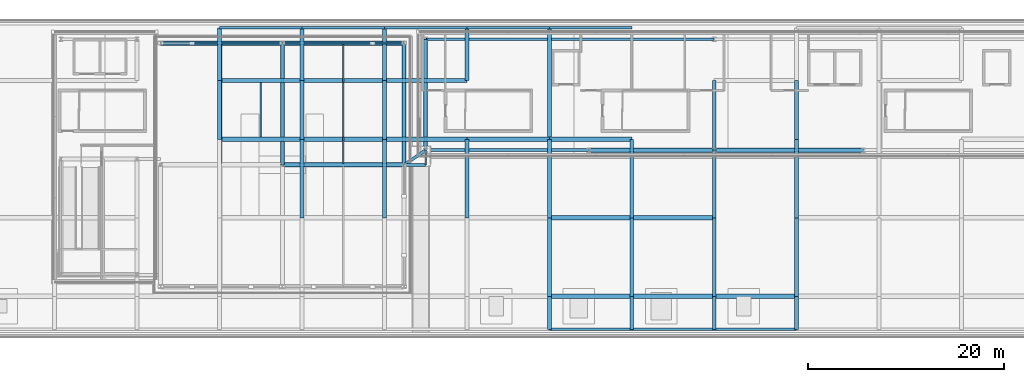
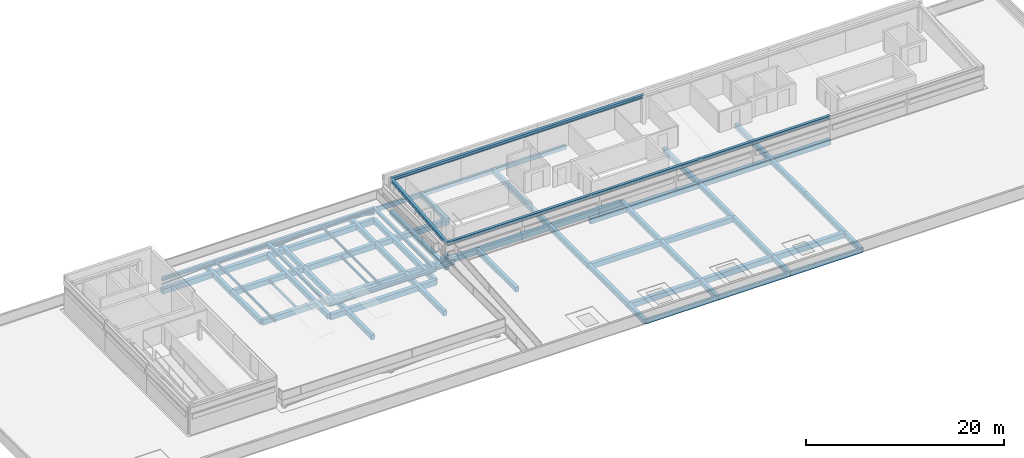
# One storey, part 4 of 14: 71 beams, 3 members.
"""IFC4 building model written with IfcOpenShell, lengths in metres."""

from ifc_helpers import new_model, si_unit, direction, frame, origin, origin_2d, place, context, subcontext, project, spatial, rectangle, hollow_rectangle, hollow_circle, i_section, extrude, material, material_profile, profile_set, type_object, element, save


model = new_model("IFC4")

# Units and contexts
model_context = context("Model", 3, precision=1e-05, world=origin(), true_north=direction((0.0, 1.0)))
body_context = subcontext(model_context, "Body", "Model", "MODEL_VIEW")
ifc_project = project(units=[si_unit("LENGTHUNIT", "METRE"), si_unit("AREAUNIT", "SQUARE_METRE"), si_unit("VOLUMEUNIT", "CUBIC_METRE"), si_unit("PLANEANGLEUNIT", "RADIAN"), si_unit("MASSUNIT", "GRAM", prefix="KILO")], contexts=[model_context])

# Site, building, storey
site_placement = place(None, origin())
site = spatial("IfcSite", under=ifc_project, at=site_placement, CompositionType="ELEMENT")
building_placement = place(site_placement, origin())
building = spatial("IfcBuilding", under=site, at=building_placement, Name="Selatvlak General Hospital", CompositionType="ELEMENT")
storey_placement = place(building_placement, frame((0.0, 0.0, 39.449951171875)))
storey = spatial("IfcBuildingStorey", under=building, at=storey_placement, Name="RF", CompositionType="ELEMENT", Elevation=39.449951171875)

# Beams
ifc_material_1 = material(Name="Concrete C40/50", Category="concrete")
ifc_material_profile_1 = material_profile(ifc_material_1, rectangle(XDim=0.449951171875, YDim=0.64990234375, at=origin_2d()), Name="RC-BM 450x650")
ifc_profile_set_1 = profile_set([ifc_material_profile_1], Name="Concrete C40/50")
beam_type_1 = type_object("IfcBeamType", Name="BM-G04", PredefinedType="BEAM", material=ifc_profile_set_1)
beam_1_placement = place(storey_placement, frame((98.39990234375, 92.0, -0.635009765625), z_axis=(1.0, 0.0, 0.0), x_axis=(0.0, 1.0, 0.0)))
element("IfcBeam", 1, at=beam_1_placement, inside=storey, type_object=beam_type_1, Name="Beam BMR-RF-2739", PredefinedType="BEAM", context=body_context, shape_type="SweptSolid", body=[
    extrude(rectangle(XDim=0.449951171875, YDim=0.64990234375, at=origin_2d()), origin(), (0.0, 0.0, 1.0), 8.400146484375),
])
beam_2_placement = place(storey_placement, frame((106.800048828125, 92.0, -0.635009765625), z_axis=(1.0, 0.0, 0.0), x_axis=(0.0, 1.0, 0.0)))
element("IfcBeam", 2, at=beam_2_placement, inside=storey, type_object=beam_type_1, Name="Beam BMR-RF-2740", PredefinedType="BEAM", context=body_context, shape_type="SweptSolid", body=[
    extrude(rectangle(XDim=0.449951171875, YDim=0.64990234375, at=origin_2d()), origin(), (0.0, 0.0, 1.0), 8.39990234375),
])
for number, where, z_axis, x_axis, name in (
    (3, (115.199951171875, 92.0, -0.635009765625), (1.0, 0.0, 0.0), (0.0, 1.0, 0.0), "Beam BMR-RF-2741"),
    (4, (98.39990234375, 100.0, -0.635009765625), (1.0, 0.0, 0.0), (0.0, 1.0, 0.0), "Beam BMR-RF-2755"),
):
    element("IfcBeam", number, at=place(storey_placement, frame(where, z_axis=z_axis, x_axis=x_axis)), inside=storey, type_object=beam_type_1, Name=name, PredefinedType="BEAM", context=body_context, shape_type="SweptSolid", body=[
        extrude(rectangle(XDim=0.449951171875, YDim=0.64990234375, at=origin_2d()), origin(), (0.0, 0.0, 1.0), 8.400146484375),
    ])
beam_3_placement = place(storey_placement, frame((106.800048828125, 100.0, -0.635009765625), z_axis=(1.0, 0.0, 0.0), x_axis=(0.0, 1.0, 0.0)))
element("IfcBeam", 5, at=beam_3_placement, inside=storey, type_object=beam_type_1, Name="Beam BMR-RF-2756", PredefinedType="BEAM", context=body_context, shape_type="SweptSolid", body=[
    extrude(rectangle(XDim=0.449951171875, YDim=0.64990234375, at=origin_2d()), origin(), (0.0, 0.0, 1.0), 8.39990234375),
])
beam_4_placement = place(storey_placement, frame((71.199951171875, 105.39990234375, -0.635009765625), z_axis=(1.0, 0.0, 0.0), x_axis=(0.0, 1.0, 0.0)))
element("IfcBeam", 6, at=beam_4_placement, inside=storey, type_object=beam_type_1, Name="Beam BMR-RF-2762", PredefinedType="BEAM", context=body_context, shape_type="SweptSolid", body=[
    extrude(rectangle(XDim=0.449951171875, YDim=0.64990234375, at=origin_2d()), origin(), (0.0, 0.0, 1.0), 12.400146484375),
])
beam_5_placement = place(storey_placement, frame((102.39990234375, 106.89990234375, -0.635009765625), z_axis=(1.0, 0.0, 0.0), x_axis=(0.0, 1.0, 0.0)))
element("IfcBeam", 7, at=beam_5_placement, inside=storey, type_object=beam_type_1, Name="Beam BMR-RF-2764", PredefinedType="BEAM", context=body_context, shape_type="SweptSolid", body=[
    extrude(rectangle(XDim=0.449951171875, YDim=0.64990234375, at=origin_2d()), origin(), (0.0, 0.0, 1.0), 12.800048828125),
])
beam_6_placement = place(storey_placement, frame((115.199951171875, 106.89990234375, -0.635009765625), z_axis=(1.0, 0.0, 0.0), x_axis=(0.0, 1.0, 0.0)))
element("IfcBeam", 8, at=beam_6_placement, inside=storey, type_object=beam_type_1, Name="Beam BMR-RF-2765", PredefinedType="BEAM", context=body_context, shape_type="SweptSolid", body=[
    extrude(rectangle(XDim=0.449951171875, YDim=0.64990234375, at=origin_2d()), origin(), (0.0, 0.0, 1.0), 15.199951171875),
])
beam_7_placement = place(storey_placement, frame((64.800048828125, 108.0, -0.635009765625), z_axis=(1.0, 0.0, 0.0), x_axis=(0.0, 1.0, 0.0)))
element("IfcBeam", 9, at=beam_7_placement, inside=storey, type_object=beam_type_1, Name="Beam BMR-RF-2766", PredefinedType="BEAM", context=body_context, shape_type="SweptSolid", body=[
    extrude(rectangle(XDim=0.449951171875, YDim=0.64990234375, at=origin_2d()), origin(), (0.0, 0.0, 1.0), 8.39990234375),
])
beam_8_placement = place(storey_placement, frame((73.199951171875, 108.0, -0.635009765625), z_axis=(1.0, 0.0, 0.0), x_axis=(0.0, 1.0, 0.0)))
element("IfcBeam", 10, at=beam_8_placement, inside=storey, type_object=beam_type_1, Name="Beam BMR-RF-2767", PredefinedType="BEAM", context=body_context, shape_type="SweptSolid", body=[
    extrude(rectangle(XDim=0.449951171875, YDim=0.64990234375, at=origin_2d()), origin(), (0.0, 0.0, 1.0), 8.400146484375),
])
for number, where, z_axis, x_axis, name in (
    (11, (81.60009765625, 108.0, -0.635009765625), (1.0, 0.0, 0.0), (0.0, 1.0, 0.0), "Beam BMR-RF-2768"),
    (12, (90.0, 108.0, -0.635009765625), (1.0, 0.0, 0.0), (0.0, 1.0, 0.0), "Beam BMR-RF-2769"),
):
    element("IfcBeam", number, at=place(storey_placement, frame(where, z_axis=z_axis, x_axis=x_axis)), inside=storey, type_object=beam_type_1, Name=name, PredefinedType="BEAM", context=body_context, shape_type="SweptSolid", body=[
        extrude(rectangle(XDim=0.449951171875, YDim=0.64990234375, at=origin_2d()), origin(), (0.0, 0.0, 1.0), 8.39990234375),
    ])
beam_9_placement = place(storey_placement, frame((98.39990234375, 108.0, -0.635009765625), z_axis=(1.0, 0.0, 0.0), x_axis=(0.0, 1.0, 0.0)))
element("IfcBeam", 13, at=beam_9_placement, inside=storey, type_object=beam_type_1, Name="Beam BMR-RF-2770", PredefinedType="BEAM", context=body_context, shape_type="SweptSolid", body=[
    extrude(rectangle(XDim=0.449951171875, YDim=0.64990234375, at=origin_2d()), origin(), (0.0, 0.0, 1.0), 8.400146484375),
])
beam_10_placement = place(storey_placement, frame((64.800048828125, 114.0, -0.635009765625), z_axis=(1.0, 0.0, 0.0), x_axis=(0.0, 1.0, 0.0)))
element("IfcBeam", 14, at=beam_10_placement, inside=storey, type_object=beam_type_1, Name="Beam BMR-RF-2774", PredefinedType="BEAM", context=body_context, shape_type="SweptSolid", body=[
    extrude(rectangle(XDim=0.449951171875, YDim=0.64990234375, at=origin_2d()), origin(), (0.0, 0.0, 1.0), 8.39990234375),
])
beam_11_placement = place(storey_placement, frame((73.199951171875, 114.0, -0.635009765625), z_axis=(1.0, 0.0, 0.0), x_axis=(0.0, 1.0, 0.0)))
element("IfcBeam", 15, at=beam_11_placement, inside=storey, type_object=beam_type_1, Name="Beam BMR-RF-2775", PredefinedType="BEAM", context=body_context, shape_type="SweptSolid", body=[
    extrude(rectangle(XDim=0.449951171875, YDim=0.64990234375, at=origin_2d()), origin(), (0.0, 0.0, 1.0), 8.400146484375),
])
beam_12_placement = place(storey_placement, frame((81.60009765625, 114.0, -0.635009765625), z_axis=(1.0, 0.0, 0.0), x_axis=(0.0, 1.0, 0.0)))
element("IfcBeam", 16, at=beam_12_placement, inside=storey, type_object=beam_type_1, Name="Beam BMR-RF-2776", PredefinedType="BEAM", context=body_context, shape_type="SweptSolid", body=[
    extrude(rectangle(XDim=0.449951171875, YDim=0.64990234375, at=origin_2d()), origin(), (0.0, 0.0, 1.0), 8.39990234375),
])
beam_13_placement = place(storey_placement, frame((58.800048828125, 117.800048828125, -0.635009765625), z_axis=(1.0, 0.0, 0.0), x_axis=(0.0, 1.0, 0.0)))
element("IfcBeam", 17, at=beam_13_placement, inside=storey, type_object=beam_type_1, Name="Beam BMR-RF-2780", PredefinedType="BEAM", context=body_context, shape_type="SweptSolid", body=[
    extrude(rectangle(XDim=0.449951171875, YDim=0.64990234375, at=origin_2d()), origin(), (0.0, 0.0, 1.0), 12.39990234375),
])
beam_14_placement = place(storey_placement, frame((71.199951171875, 117.800048828125, -0.635009765625), z_axis=(1.0, 0.0, 0.0), x_axis=(0.0, 1.0, 0.0)))
element("IfcBeam", 18, at=beam_14_placement, inside=storey, type_object=beam_type_1, Name="Beam BMR-RF-2781", PredefinedType="BEAM", context=body_context, shape_type="SweptSolid", body=[
    extrude(rectangle(XDim=0.449951171875, YDim=0.64990234375, at=origin_2d()), origin(), (0.0, 0.0, 1.0), 12.400146484375),
])
ifc_material_profile_2 = material_profile(ifc_material_1, rectangle(XDim=0.39990234375, YDim=0.60009765625, at=origin_2d()), Name="RC-BM 400x600")
ifc_profile_set_2 = profile_set([ifc_material_profile_2], Name="Concrete C40/50")
beam_type_2 = type_object("IfcBeamType", Name="BM-G05", PredefinedType="BEAM", material=ifc_profile_set_2)
beam_15_placement = place(storey_placement, frame((64.800048828125, 108.0, -0.60986328125), z_axis=(0.0, 1.0, 0.0), x_axis=(-1.0, 0.0, 0.0)))
element("IfcBeam", 19, at=beam_15_placement, inside=storey, type_object=beam_type_2, Name="Beam BMR-RF-2807", PredefinedType="BEAM", context=body_context, shape_type="SweptSolid", body=[
    extrude(rectangle(XDim=0.39990234375, YDim=0.60009765625, at=origin_2d()), origin(), (0.0, 0.0, 1.0), 6.0),
])
beam_16_placement = place(storey_placement, frame((64.800048828125, 114.0, -0.60986328125), z_axis=(0.0, 1.0, 0.0), x_axis=(-1.0, 0.0, 0.0)))
element("IfcBeam", 20, at=beam_16_placement, inside=storey, type_object=beam_type_2, Name="Beam BMR-RF-2808", PredefinedType="BEAM", context=body_context, shape_type="SweptSolid", body=[
    extrude(rectangle(XDim=0.39990234375, YDim=0.60009765625, at=origin_2d()), origin(), (0.0, 0.0, 1.0), 5.35009765625),
])
beam_17_placement = place(storey_placement, frame((71.199951171875, 105.39990234375, -0.60986328125), z_axis=(0.0, 1.0, 0.0), x_axis=(-1.0, 0.0, 0.0)))
element("IfcBeam", 21, at=beam_17_placement, inside=storey, type_object=beam_type_2, Name="Beam BMR-RF-2810", PredefinedType="BEAM", context=body_context, shape_type="SweptSolid", body=[
    extrude(rectangle(XDim=0.39990234375, YDim=0.60009765625, at=origin_2d()), origin(), (0.0, 0.0, 1.0), 12.400146484375),
])
beam_18_placement = place(storey_placement, frame((73.199951171875, 100.0, -0.60986328125), z_axis=(0.0, 1.0, 0.0), x_axis=(-1.0, 0.0, 0.0)))
element("IfcBeam", 22, at=beam_18_placement, inside=storey, type_object=beam_type_2, Name="Beam BMR-RF-2813", PredefinedType="BEAM", context=body_context, shape_type="SweptSolid", body=[
    extrude(rectangle(XDim=0.39990234375, YDim=0.60009765625, at=origin_2d()), origin(), (0.0, 0.0, 1.0), 8.0),
])
beam_19_placement = place(storey_placement, frame((73.199951171875, 108.0, -0.60986328125), z_axis=(0.0, 1.0, 0.0), x_axis=(-1.0, 0.0, 0.0)))
element("IfcBeam", 23, at=beam_19_placement, inside=storey, type_object=beam_type_2, Name="Beam BMR-RF-2814", PredefinedType="BEAM", context=body_context, shape_type="SweptSolid", body=[
    extrude(rectangle(XDim=0.39990234375, YDim=0.60009765625, at=origin_2d()), origin(), (0.0, 0.0, 1.0), 6.0),
])
beam_20_placement = place(storey_placement, frame((73.199951171875, 114.0, -0.60986328125), z_axis=(0.0, 1.0, 0.0), x_axis=(-1.0, 0.0, 0.0)))
element("IfcBeam", 24, at=beam_20_placement, inside=storey, type_object=beam_type_2, Name="Beam BMR-RF-2815", PredefinedType="BEAM", context=body_context, shape_type="SweptSolid", body=[
    extrude(rectangle(XDim=0.39990234375, YDim=0.60009765625, at=origin_2d()), origin(), (0.0, 0.0, 1.0), 5.35009765625),
])
beam_21_placement = place(storey_placement, frame((81.60009765625, 100.0, -0.60986328125), z_axis=(0.0, 1.0, 0.0), x_axis=(-1.0, 0.0, 0.0)))
element("IfcBeam", 25, at=beam_21_placement, inside=storey, type_object=beam_type_2, Name="Beam BMR-RF-2818", PredefinedType="BEAM", context=body_context, shape_type="SweptSolid", body=[
    extrude(rectangle(XDim=0.39990234375, YDim=0.60009765625, at=origin_2d()), origin(), (0.0, 0.0, 1.0), 8.0),
])
beam_22_placement = place(storey_placement, frame((81.60009765625, 108.0, -0.60986328125), z_axis=(0.0, 1.0, 0.0), x_axis=(-1.0, 0.0, 0.0)))
element("IfcBeam", 26, at=beam_22_placement, inside=storey, type_object=beam_type_2, Name="Beam BMR-RF-2819", PredefinedType="BEAM", context=body_context, shape_type="SweptSolid", body=[
    extrude(rectangle(XDim=0.39990234375, YDim=0.60009765625, at=origin_2d()), origin(), (0.0, 0.0, 1.0), 6.0),
])
beam_23_placement = place(storey_placement, frame((81.60009765625, 114.0, -0.60986328125), z_axis=(0.0, 1.0, 0.0), x_axis=(-1.0, 0.0, 0.0)))
element("IfcBeam", 27, at=beam_23_placement, inside=storey, type_object=beam_type_2, Name="Beam BMR-RF-2820", PredefinedType="BEAM", context=body_context, shape_type="SweptSolid", body=[
    extrude(rectangle(XDim=0.39990234375, YDim=0.60009765625, at=origin_2d()), origin(), (0.0, 0.0, 1.0), 5.35009765625),
])
beam_24_placement = place(storey_placement, frame((83.60009765625, 105.39990234375, -0.60986328125), z_axis=(0.0, 1.0, 0.0), x_axis=(-1.0, 0.0, 0.0)))
element("IfcBeam", 28, at=beam_24_placement, inside=storey, type_object=beam_type_2, Name="Beam BMR-RF-2822", PredefinedType="BEAM", context=body_context, shape_type="SweptSolid", body=[
    extrude(rectangle(XDim=0.39990234375, YDim=0.60009765625, at=origin_2d()), origin(), (0.0, 0.0, 1.0), 12.400146484375),
])
beam_25_placement = place(storey_placement, frame((85.800048828125, 106.89990234375, -0.60986328125), z_axis=(0.0, 1.0, 0.0), x_axis=(-1.0, 0.0, 0.0)))
element("IfcBeam", 29, at=beam_25_placement, inside=storey, type_object=beam_type_2, Name="Beam BMR-RF-2823", PredefinedType="BEAM", context=body_context, shape_type="SweptSolid", body=[
    extrude(rectangle(XDim=0.39990234375, YDim=0.60009765625, at=origin_2d()), origin(), (0.0, 0.0, 1.0), 11.300048828125),
])
beam_26_placement = place(storey_placement, frame((90.0, 100.0, -0.60986328125), z_axis=(0.0, 1.0, 0.0), x_axis=(-1.0, 0.0, 0.0)))
element("IfcBeam", 30, at=beam_26_placement, inside=storey, type_object=beam_type_2, Name="Beam BMR-RF-2826", PredefinedType="BEAM", context=body_context, shape_type="SweptSolid", body=[
    extrude(rectangle(XDim=0.39990234375, YDim=0.60009765625, at=origin_2d()), origin(), (0.0, 0.0, 1.0), 8.0),
])
beam_27_placement = place(storey_placement, frame((90.0, 114.0, -0.60986328125), z_axis=(0.0, 1.0, 0.0), x_axis=(-1.0, 0.0, 0.0)))
element("IfcBeam", 31, at=beam_27_placement, inside=storey, type_object=beam_type_2, Name="Beam BMR-RF-2827", PredefinedType="BEAM", context=body_context, shape_type="SweptSolid", body=[
    extrude(rectangle(XDim=0.39990234375, YDim=0.60009765625, at=origin_2d()), origin(), (0.0, 0.0, 1.0), 5.35009765625),
])
beam_28_placement = place(storey_placement, frame((98.39990234375, 88.64990234375, -0.60986328125), z_axis=(0.0, 1.0, 0.0), x_axis=(-1.0, 0.0, 0.0)))
element("IfcBeam", 32, at=beam_28_placement, inside=storey, type_object=beam_type_2, Name="Beam BMR-RF-2828", PredefinedType="BEAM", context=body_context, shape_type="SweptSolid", body=[
    extrude(rectangle(XDim=0.39990234375, YDim=0.60009765625, at=origin_2d()), origin(), (0.0, 0.0, 1.0), 3.35009765625),
])
for number, where, z_axis, x_axis, name in (
    (33, (98.39990234375, 92.0, -0.60986328125), (0.0, 1.0, 0.0), (-1.0, 0.0, 0.0), "Beam BMR-RF-2829"),
    (34, (98.39990234375, 100.0, -0.60986328125), (0.0, 1.0, 0.0), (-1.0, 0.0, 0.0), "Beam BMR-RF-2830"),
):
    element("IfcBeam", number, at=place(storey_placement, frame(where, z_axis=z_axis, x_axis=x_axis)), inside=storey, type_object=beam_type_2, Name=name, PredefinedType="BEAM", context=body_context, shape_type="SweptSolid", body=[
        extrude(rectangle(XDim=0.39990234375, YDim=0.60009765625, at=origin_2d()), origin(), (0.0, 0.0, 1.0), 8.0),
    ])
beam_29_placement = place(storey_placement, frame((98.39990234375, 108.0, -0.60986328125), z_axis=(0.0, 1.0, 0.0), x_axis=(-1.0, 0.0, 0.0)))
element("IfcBeam", 35, at=beam_29_placement, inside=storey, type_object=beam_type_2, Name="Beam BMR-RF-2831", PredefinedType="BEAM", context=body_context, shape_type="SweptSolid", body=[
    extrude(rectangle(XDim=0.39990234375, YDim=0.60009765625, at=origin_2d()), origin(), (0.0, 0.0, 1.0), 11.35009765625),
])
beam_30_placement = place(storey_placement, frame((106.800048828125, 88.64990234375, -0.60986328125), z_axis=(0.0, 1.0, 0.0), x_axis=(-1.0, 0.0, 0.0)))
element("IfcBeam", 36, at=beam_30_placement, inside=storey, type_object=beam_type_2, Name="Beam BMR-RF-2832", PredefinedType="BEAM", context=body_context, shape_type="SweptSolid", body=[
    extrude(rectangle(XDim=0.39990234375, YDim=0.60009765625, at=origin_2d()), origin(), (0.0, 0.0, 1.0), 3.35009765625),
])
for number, where, z_axis, x_axis, name in (
    (37, (106.800048828125, 92.0, -0.60986328125), (0.0, 1.0, 0.0), (-1.0, 0.0, 0.0), "Beam BMR-RF-2833"),
    (38, (106.800048828125, 100.0, -0.60986328125), (0.0, 1.0, 0.0), (-1.0, 0.0, 0.0), "Beam BMR-RF-2834"),
):
    element("IfcBeam", number, at=place(storey_placement, frame(where, z_axis=z_axis, x_axis=x_axis)), inside=storey, type_object=beam_type_2, Name=name, PredefinedType="BEAM", context=body_context, shape_type="SweptSolid", body=[
        extrude(rectangle(XDim=0.39990234375, YDim=0.60009765625, at=origin_2d()), origin(), (0.0, 0.0, 1.0), 8.0),
    ])
beam_31_placement = place(storey_placement, frame((115.199951171875, 88.64990234375, -0.60986328125), z_axis=(0.0, 1.0, 0.0), x_axis=(-1.0, 0.0, 0.0)))
element("IfcBeam", 39, at=beam_31_placement, inside=storey, type_object=beam_type_2, Name="Beam BMR-RF-2835", PredefinedType="BEAM", context=body_context, shape_type="SweptSolid", body=[
    extrude(rectangle(XDim=0.39990234375, YDim=0.60009765625, at=origin_2d()), origin(), (0.0, 0.0, 1.0), 3.35009765625),
])
beam_32_placement = place(storey_placement, frame((115.199951171875, 92.0, -0.60986328125), z_axis=(0.0, 1.0, 0.0), x_axis=(-1.0, 0.0, 0.0)))
element("IfcBeam", 40, at=beam_32_placement, inside=storey, type_object=beam_type_2, Name="Beam BMR-RF-2836", PredefinedType="BEAM", context=body_context, shape_type="SweptSolid", body=[
    extrude(rectangle(XDim=0.39990234375, YDim=0.60009765625, at=origin_2d()), origin(), (0.0, 0.0, 1.0), 8.0),
])
beam_33_placement = place(storey_placement, frame((115.199951171875, 100.0, -0.60986328125), z_axis=(0.0, 1.0, 0.0), x_axis=(-1.0, 0.0, 0.0)))
element("IfcBeam", 41, at=beam_33_placement, inside=storey, type_object=beam_type_2, Name="Beam BMR-RF-2837", PredefinedType="BEAM", context=body_context, shape_type="SweptSolid", body=[
    extrude(rectangle(XDim=0.39990234375, YDim=0.60009765625, at=origin_2d()), origin(), (0.0, 0.0, 1.0), 6.89990234375),
])
beam_34_placement = place(storey_placement, frame((115.199951171875, 106.89990234375, -0.60986328125), z_axis=(0.0, 1.0, 0.0), x_axis=(-1.0, 0.0, 0.0)))
element("IfcBeam", 42, at=beam_34_placement, inside=storey, type_object=beam_type_2, Name="Beam BMR-RF-2838", PredefinedType="BEAM", context=body_context, shape_type="SweptSolid", body=[
    extrude(rectangle(XDim=0.39990234375, YDim=0.60009765625, at=origin_2d()), origin(), (0.0, 0.0, 1.0), 7.10009765625),
])
beam_35_placement = place(storey_placement, frame((123.60009765625, 88.64990234375, -0.60986328125), z_axis=(0.0, 1.0, 0.0), x_axis=(-1.0, 0.0, 0.0)))
element("IfcBeam", 43, at=beam_35_placement, inside=storey, type_object=beam_type_2, Name="Beam BMR-RF-2839", PredefinedType="BEAM", context=body_context, shape_type="SweptSolid", body=[
    extrude(rectangle(XDim=0.39990234375, YDim=0.60009765625, at=origin_2d()), origin(), (0.0, 0.0, 1.0), 3.35009765625),
])
for number, where, z_axis, x_axis, name in (
    (44, (123.60009765625, 92.0, -0.60986328125), (0.0, 1.0, 0.0), (-1.0, 0.0, 0.0), "Beam BMR-RF-2840"),
    (45, (123.60009765625, 100.0, -0.60986328125), (0.0, 1.0, 0.0), (-1.0, 0.0, 0.0), "Beam BMR-RF-2841"),
):
    element("IfcBeam", number, at=place(storey_placement, frame(where, z_axis=z_axis, x_axis=x_axis)), inside=storey, type_object=beam_type_2, Name=name, PredefinedType="BEAM", context=body_context, shape_type="SweptSolid", body=[
        extrude(rectangle(XDim=0.39990234375, YDim=0.60009765625, at=origin_2d()), origin(), (0.0, 0.0, 1.0), 8.0),
    ])
beam_36_placement = place(storey_placement, frame((123.60009765625, 108.0, -0.60986328125), z_axis=(0.0, 1.0, 0.0), x_axis=(-1.0, 0.0, 0.0)))
element("IfcBeam", 46, at=beam_36_placement, inside=storey, type_object=beam_type_2, Name="Beam BMR-RF-2842", PredefinedType="BEAM", context=body_context, shape_type="SweptSolid", body=[
    extrude(rectangle(XDim=0.39990234375, YDim=0.60009765625, at=origin_2d()), origin(), (0.0, 0.0, 1.0), 6.0),
])
ifc_material_2 = material(Name="Steel S355", Category="steel")
ifc_material_profile_3 = material_profile(ifc_material_2, i_section(OverallWidth=0.300048828125, OverallDepth=0.39990234375, WebThickness=0.013427734375, FlangeThickness=0.02392578125, at=origin_2d()), Name="HEB 400")
ifc_profile_set_3 = profile_set([ifc_material_profile_3], Name="Steel S355")
beam_type_3 = type_object("IfcBeamType", Name="BM-HLP", PredefinedType="BEAM", material=ifc_profile_set_3)
beam_37_placement = place(storey_placement, frame((71.199951171875, 105.39990234375, 0.8349609375), z_axis=(1.0, 0.0, 0.0), x_axis=(0.0, 1.0, 0.0)))
element("IfcBeam", 47, at=beam_37_placement, inside=storey, type_object=beam_type_3, Name="Beam BMR-RF-2877", PredefinedType="BEAM", context=body_context, shape_type="SweptSolid", body=[
    extrude(i_section(OverallWidth=0.300048828125, OverallDepth=0.39990234375, WebThickness=0.013427734375, FlangeThickness=0.02392578125, at=origin_2d()), origin(), (0.0, 0.0, 1.0), 12.400146484375),
])
beam_38_placement = place(storey_placement, frame((58.800048828125, 117.800048828125, 0.8349609375), z_axis=(1.0, 0.0, 0.0), x_axis=(0.0, 1.0, 0.0)))
element("IfcBeam", 48, at=beam_38_placement, inside=storey, type_object=beam_type_3, Name="Beam BMR-RF-2878", PredefinedType="BEAM", context=body_context, shape_type="SweptSolid", body=[
    extrude(i_section(OverallWidth=0.300048828125, OverallDepth=0.39990234375, WebThickness=0.013427734375, FlangeThickness=0.02392578125, at=origin_2d()), origin(), (0.0, 0.0, 1.0), 12.39990234375),
])
for number, where, z_axis, x_axis, name in (
    (49, (71.199951171875, 117.800048828125, 0.8349609375), (1.0, 0.0, 0.0), (0.0, 1.0, 0.0), "Beam BMR-RF-2879"),
    (50, (71.199951171875, 105.39990234375, 0.8349609375), (0.0, 1.0, 0.0), (-1.0, 0.0, 0.0), "Beam BMR-RF-2882"),
    (51, (83.60009765625, 105.39990234375, 0.8349609375), (0.0, 1.0, 0.0), (-1.0, 0.0, 0.0), "Beam BMR-RF-2884"),
):
    element("IfcBeam", number, at=place(storey_placement, frame(where, z_axis=z_axis, x_axis=x_axis)), inside=storey, type_object=beam_type_3, Name=name, PredefinedType="BEAM", context=body_context, shape_type="SweptSolid", body=[
        extrude(i_section(OverallWidth=0.300048828125, OverallDepth=0.39990234375, WebThickness=0.013427734375, FlangeThickness=0.02392578125, at=origin_2d()), origin(), (0.0, 0.0, 1.0), 12.400146484375),
    ])
beam_39_placement = place(storey_placement, frame((85.800048828125, 106.89990234375, 2.3701171875), z_axis=(1.0, 0.0, 0.0), x_axis=(0.0, 1.0, 0.0)))
element("IfcBeam", 52, at=beam_39_placement, inside=storey, type_object=beam_type_3, Name="Beam BMR-RF-2893", PredefinedType="BEAM", context=body_context, shape_type="SweptSolid", body=[
    extrude(i_section(OverallWidth=0.300048828125, OverallDepth=0.39990234375, WebThickness=0.013427734375, FlangeThickness=0.02392578125, at=origin_2d()), origin(), (0.0, 0.0, 1.0), 16.599853515625),
])
beam_40_placement = place(storey_placement, frame((102.39990234375, 106.89990234375, 2.3701171875), z_axis=(1.0, 0.0, 0.0), x_axis=(0.0, 1.0, 0.0)))
element("IfcBeam", 53, at=beam_40_placement, inside=storey, type_object=beam_type_3, Name="Beam BMR-RF-2894", PredefinedType="BEAM", context=body_context, shape_type="SweptSolid", body=[
    extrude(i_section(OverallWidth=0.300048828125, OverallDepth=0.39990234375, WebThickness=0.013427734375, FlangeThickness=0.02392578125, at=origin_2d()), origin(), (0.0, 0.0, 1.0), 12.800048828125),
])
beam_41_placement = place(storey_placement, frame((115.199951171875, 106.89990234375, 2.3701171875), z_axis=(1.0, 0.0, 0.0), x_axis=(0.0, 1.0, 0.0)))
element("IfcBeam", 54, at=beam_41_placement, inside=storey, type_object=beam_type_3, Name="Beam BMR-RF-2895", PredefinedType="BEAM", context=body_context, shape_type="SweptSolid", body=[
    extrude(i_section(OverallWidth=0.300048828125, OverallDepth=0.39990234375, WebThickness=0.013427734375, FlangeThickness=0.02392578125, at=origin_2d()), origin(), (0.0, 0.0, 1.0), 15.199951171875),
])
beam_42_placement = place(storey_placement, frame((85.800048828125, 118.199951171875, 3.429931640625), z_axis=(1.0, 0.0, 0.0), x_axis=(0.0, 1.0, 0.0)))
element("IfcBeam", 55, at=beam_42_placement, inside=storey, type_object=beam_type_3, Name="Beam BMR-RF-2897", PredefinedType="BEAM", context=body_context, shape_type="SweptSolid", body=[
    extrude(i_section(OverallWidth=0.300048828125, OverallDepth=0.39990234375, WebThickness=0.013427734375, FlangeThickness=0.02392578125, at=origin_2d()), origin(), (0.0, 0.0, 1.0), 29.39990234375),
])
beam_43_placement = place(storey_placement, frame((85.800048828125, 106.89990234375, 2.3701171875), z_axis=(0.0, 0.995630664484, 0.093378691034), x_axis=(-1.0, 0.0, 0.0)))
element("IfcBeam", 56, at=beam_43_placement, inside=storey, type_object=beam_type_3, Name="Beam BMR-RF-2899", PredefinedType="BEAM", context=body_context, shape_type="SweptSolid", body=[
    extrude(i_section(OverallWidth=0.300048828125, OverallDepth=0.39990234375, WebThickness=0.013427734375, FlangeThickness=0.02392578125, at=origin_2d()), origin(), (0.0, 0.0, 1.0), 11.349609375),
])
beam_44_placement = place(storey_placement, frame((83.60009765625, 105.39990234375, 0.97998046875), z_axis=(0.826221523208, 0.563345359959, 0.0), x_axis=(-0.563345359959, 0.826221523208, 0.0)))
element("IfcBeam", 57, at=beam_44_placement, inside=storey, type_object=beam_type_3, Name="Beam BMR-RF-2918", PredefinedType="BEAM", context=body_context, shape_type="SweptSolid", body=[
    extrude(i_section(OverallWidth=0.300048828125, OverallDepth=0.39990234375, WebThickness=0.013427734375, FlangeThickness=0.02392578125, at=origin_2d()), origin(), (0.0, 0.0, 1.0), 2.66259765625),
])
beam_45_placement = place(storey_placement, frame((83.60009765625, 105.39990234375, 0.97998046875), z_axis=(1.0, 0.0, 0.0), x_axis=(0.0, 1.0, 0.0)))
element("IfcBeam", 58, at=beam_45_placement, inside=storey, type_object=beam_type_3, Name="Beam BMR-RF-2919", PredefinedType="BEAM", context=body_context, shape_type="SweptSolid", body=[
    extrude(i_section(OverallWidth=0.300048828125, OverallDepth=0.39990234375, WebThickness=0.013427734375, FlangeThickness=0.02392578125, at=origin_2d()), origin(), (0.0, 0.0, 1.0), 2.199951171875),
])
ifc_material_profile_4 = material_profile(ifc_material_2, i_section(OverallWidth=0.14990234375, OverallDepth=0.300048828125, WebThickness=0.007080078125, FlangeThickness=0.0107421875, at=origin_2d()), Name="IPE 300")
ifc_profile_set_4 = profile_set([ifc_material_profile_4], Name="Steel S355")
beam_type_4 = type_object("IfcBeamType", Name="BM-J06", PredefinedType="JOIST", material=ifc_profile_set_4)
for number, where, z_axis, x_axis, name in (
    (59, (69.0, 108.22509765625, -0.4599609375), (0.0, 1.0, 0.0), (-1.0, 0.0, 0.0), "Beam BMR-RF-2860"),
    (60, (77.39990234375, 108.22509765625, -0.4599609375), (0.0, 1.0, 0.0), (-1.0, 0.0, 0.0), "Beam BMR-RF-2861"),
):
    element("IfcBeam", number, at=place(storey_placement, frame(where, z_axis=z_axis, x_axis=x_axis)), inside=storey, type_object=beam_type_4, Name=name, PredefinedType="JOIST", context=body_context, shape_type="SweptSolid", body=[
        extrude(i_section(OverallWidth=0.14990234375, OverallDepth=0.300048828125, WebThickness=0.007080078125, FlangeThickness=0.0107421875, at=origin_2d()), origin(), (0.0, 0.0, 1.0), 5.5498046875),
    ])
for number, where, z_axis, x_axis, name in (
    (61, (65.0, 105.550048828125, 0.885009765625), (0.0, 1.0, 0.0), (-1.0, 0.0, 0.0), "Beam BMR-RF-2886"),
    (62, (77.39990234375, 105.550048828125, 0.885009765625), (0.0, 1.0, 0.0), (-1.0, 0.0, 0.0), "Beam BMR-RF-2888"),
):
    element("IfcBeam", number, at=place(storey_placement, frame(where, z_axis=z_axis, x_axis=x_axis)), inside=storey, type_object=beam_type_4, Name=name, PredefinedType="JOIST", context=body_context, shape_type="SweptSolid", body=[
        extrude(i_section(OverallWidth=0.14990234375, OverallDepth=0.300048828125, WebThickness=0.007080078125, FlangeThickness=0.0107421875, at=origin_2d()), origin(), (0.0, 0.0, 1.0), 12.099853515625),
    ])
beam_46_placement = place(storey_placement, frame((85.800048828125, 105.39990234375, 1.030029296875), z_axis=(0.0, 1.0, 0.0), x_axis=(-1.0, 0.0, 0.0)))
element("IfcBeam", 63, at=beam_46_placement, inside=storey, type_object=beam_type_4, Name="Beam BMR-RF-2920", PredefinedType="JOIST", context=body_context, shape_type="SweptSolid", body=[
    extrude(i_section(OverallWidth=0.14990234375, OverallDepth=0.300048828125, WebThickness=0.007080078125, FlangeThickness=0.0107421875, at=origin_2d()), origin(), (0.0, 0.0, 1.0), 1.5),
])
ifc_material_profile_5 = material_profile(ifc_material_1, rectangle(XDim=0.25, YDim=0.550048828125, at=origin_2d()), Name="RC-SP 250x550")
ifc_profile_set_5 = profile_set([ifc_material_profile_5], Name="Concrete C40/50")
beam_type_5 = type_object("IfcBeamType", Name="BM-SP2", PredefinedType="SPANDREL", material=ifc_profile_set_5)
beam_47_placement = place(storey_placement, frame((98.39990234375, 88.64990234375, -0.5849609375), z_axis=(1.0, 0.0, 0.0), x_axis=(0.0, 1.0, 0.0)))
element("IfcBeam", 64, at=beam_47_placement, inside=storey, type_object=beam_type_5, Name="Beam BMR-RF-2725", PredefinedType="SPANDREL", context=body_context, shape_type="SweptSolid", body=[
    extrude(rectangle(XDim=0.25, YDim=0.550048828125, at=origin_2d()), origin(), (0.0, 0.0, 1.0), 8.400146484375),
])
beam_48_placement = place(storey_placement, frame((106.800048828125, 88.64990234375, -0.5849609375), z_axis=(1.0, 0.0, 0.0), x_axis=(0.0, 1.0, 0.0)))
element("IfcBeam", 65, at=beam_48_placement, inside=storey, type_object=beam_type_5, Name="Beam BMR-RF-2726", PredefinedType="SPANDREL", context=body_context, shape_type="SweptSolid", body=[
    extrude(rectangle(XDim=0.25, YDim=0.550048828125, at=origin_2d()), origin(), (0.0, 0.0, 1.0), 8.39990234375),
])
beam_49_placement = place(storey_placement, frame((115.199951171875, 88.64990234375, -0.5849609375), z_axis=(1.0, 0.0, 0.0), x_axis=(0.0, 1.0, 0.0)))
element("IfcBeam", 66, at=beam_49_placement, inside=storey, type_object=beam_type_5, Name="Beam BMR-RF-2727", PredefinedType="SPANDREL", context=body_context, shape_type="SweptSolid", body=[
    extrude(rectangle(XDim=0.25, YDim=0.550048828125, at=origin_2d()), origin(), (0.0, 0.0, 1.0), 8.400146484375),
])
beam_50_placement = place(storey_placement, frame((64.800048828125, 119.35009765625, -0.5849609375), z_axis=(1.0, 0.0, 0.0), x_axis=(0.0, 1.0, 0.0)))
element("IfcBeam", 67, at=beam_50_placement, inside=storey, type_object=beam_type_5, Name="Beam BMR-RF-2782", PredefinedType="SPANDREL", context=body_context, shape_type="SweptSolid", body=[
    extrude(rectangle(XDim=0.25, YDim=0.550048828125, at=origin_2d()), origin(), (0.0, 0.0, 1.0), 8.39990234375),
])
beam_51_placement = place(storey_placement, frame((73.199951171875, 119.35009765625, -0.5849609375), z_axis=(1.0, 0.0, 0.0), x_axis=(0.0, 1.0, 0.0)))
element("IfcBeam", 68, at=beam_51_placement, inside=storey, type_object=beam_type_5, Name="Beam BMR-RF-2783", PredefinedType="SPANDREL", context=body_context, shape_type="SweptSolid", body=[
    extrude(rectangle(XDim=0.25, YDim=0.550048828125, at=origin_2d()), origin(), (0.0, 0.0, 1.0), 8.400146484375),
])
for number, where, z_axis, x_axis, name in (
    (69, (81.60009765625, 119.35009765625, -0.5849609375), (1.0, 0.0, 0.0), (0.0, 1.0, 0.0), "Beam BMR-RF-2784"),
    (70, (90.0, 119.35009765625, -0.5849609375), (1.0, 0.0, 0.0), (0.0, 1.0, 0.0), "Beam BMR-RF-2785"),
):
    element("IfcBeam", number, at=place(storey_placement, frame(where, z_axis=z_axis, x_axis=x_axis)), inside=storey, type_object=beam_type_5, Name=name, PredefinedType="SPANDREL", context=body_context, shape_type="SweptSolid", body=[
        extrude(rectangle(XDim=0.25, YDim=0.550048828125, at=origin_2d()), origin(), (0.0, 0.0, 1.0), 8.39990234375),
    ])
beam_52_placement = place(storey_placement, frame((98.39990234375, 119.35009765625, -0.5849609375), z_axis=(1.0, 0.0, 0.0), x_axis=(0.0, 1.0, 0.0)))
element("IfcBeam", 71, at=beam_52_placement, inside=storey, type_object=beam_type_5, Name="Beam BMR-RF-2786", PredefinedType="SPANDREL", context=body_context, shape_type="SweptSolid", body=[
    extrude(rectangle(XDim=0.25, YDim=0.550048828125, at=origin_2d()), origin(), (0.0, 0.0, 1.0), 8.400146484375),
])

# Members
ifc_material_profile_6 = material_profile(ifc_material_2, hollow_circle(Radius=0.084228515625, WallThickness=0.00634765625, at=origin_2d()), Name="CHS 168.3x6.3")
ifc_profile_set_6 = profile_set([ifc_material_profile_6], Name="Steel S355")
member_type_1 = type_object("IfcMemberType", Name="MEM-BR2", PredefinedType="BRACE", material=ifc_profile_set_6)
member_1_placement = place(storey_placement, frame((58.800048828125, 117.800048828125, 0.170166015625), z_axis=(0.998565918417, 0.0, 0.053536030633), x_axis=(0.0, 1.0, 0.0)))
element("IfcMember", 72, at=member_1_placement, inside=storey, type_object=member_type_1, Name="Helipad deck diagonal steel brace 1-117", PredefinedType="BRACE", context=body_context, shape_type="SweptSolid", body=[
    extrude(hollow_circle(Radius=0.084228515625, WallThickness=0.00634765625, at=origin_2d()), origin(), (0.0, 0.0, 1.0), 12.417724609375),
])
member_2_placement = place(storey_placement, frame((71.199951171875, 117.800048828125, 0.170166015625), z_axis=(0.998565974765, 0.0, 0.053534979608), x_axis=(0.0, 1.0, 0.0)))
element("IfcMember", 73, at=member_2_placement, inside=storey, type_object=member_type_1, Name="Helipad deck diagonal steel brace 2-117", PredefinedType="BRACE", context=body_context, shape_type="SweptSolid", body=[
    extrude(hollow_circle(Radius=0.084228515625, WallThickness=0.00634765625, at=origin_2d()), origin(), (0.0, 0.0, 1.0), 12.41796875),
])
ifc_material_profile_7 = material_profile(ifc_material_2, hollow_rectangle(XDim=0.10009765625, YDim=0.199951171875, WallThickness=0.008056640625, at=origin_2d()), Name="RHS 200x100x8")
ifc_profile_set_7 = profile_set([ifc_material_profile_7], Name="Steel S355")
member_type_2 = type_object("IfcMemberType", Name="MEM-ST2", PredefinedType="STRUT", material=ifc_profile_set_7)
member_3_placement = place(storey_placement, frame((83.60009765625, 117.800048828125, 0.170166015625), z_axis=(-0.979097085992, 0.0, 0.203393451721), x_axis=(0.0, -1.0, 0.0)))
element("IfcMember", 74, at=member_3_placement, inside=storey, type_object=member_type_2, Name="Helipad deck knee-brace steel strut 08", PredefinedType="STRUT", context=body_context, shape_type="SweptSolid", body=[
    extrude(hollow_rectangle(XDim=0.10009765625, YDim=0.199951171875, WallThickness=0.008056640625, at=origin_2d()), origin(), (0.0, 0.0, 1.0), 3.2685546875),
])

save(model, "model.ifc")
